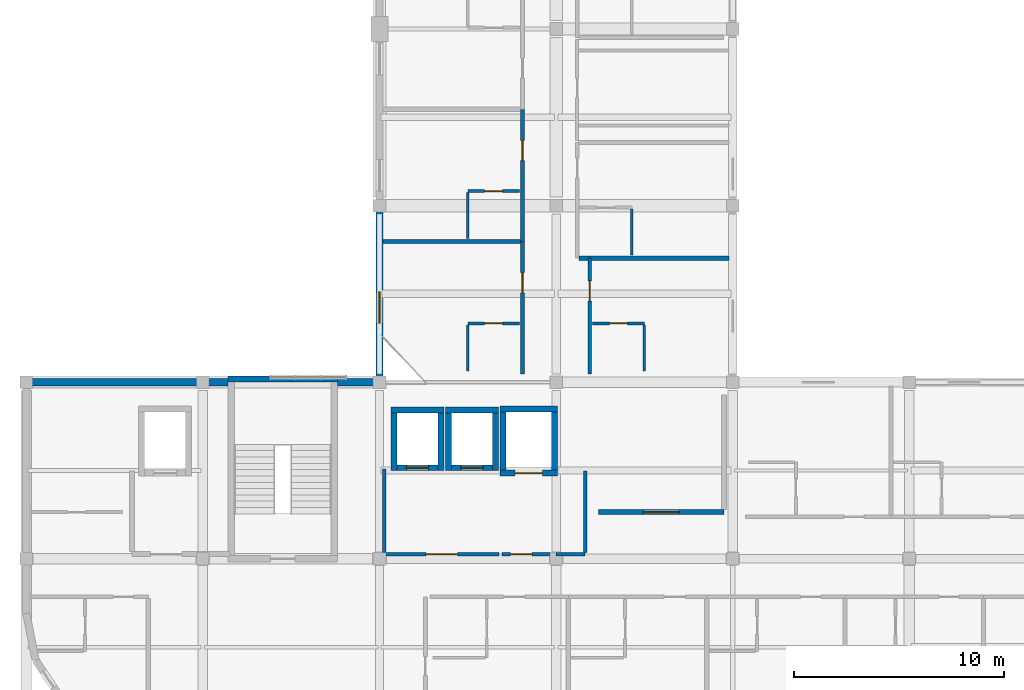
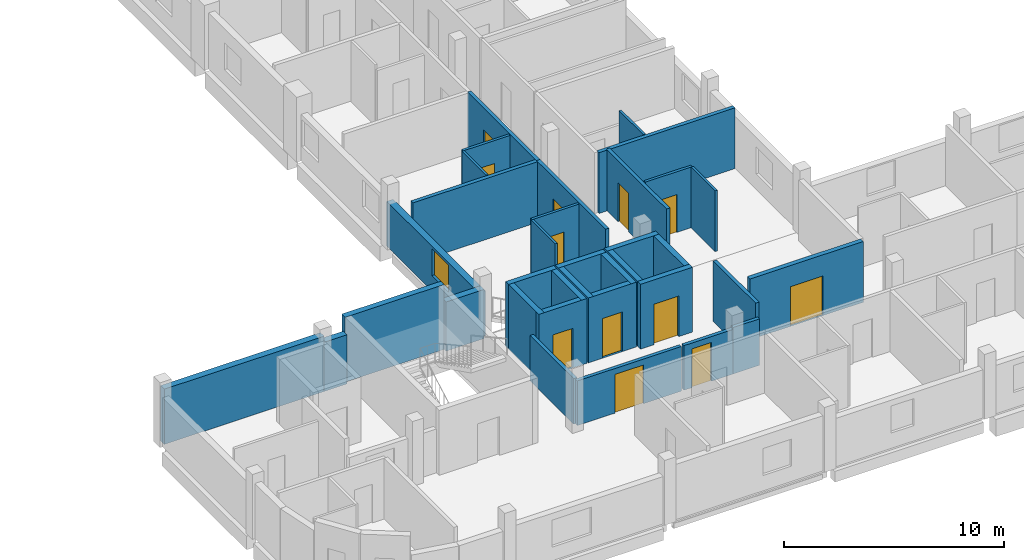
# One storey, part 12 of 25: 35 walls, 12 doors, 1 window, 13 openings.
"""IFC4 building model written with IfcOpenShell, lengths in metres."""

import ifcopenshell
import ifcopenshell.guid

model = None  # the IFC model being written
_history = None  # IfcOwnerHistory: only IFC2X3 demands one
_inside = {}  # id of a spatial element -> (the spatial element, [elements in it])
_under = {}  # id of a project, library or spatial element -> (it, [spatial elements below it])
_declared = {}  # id of a project -> (the project, [libraries it declares])
_typed = {}  # id of a type object -> (the type object, [elements of that type])
_made_of = {}  # id of a material, layer set ... -> (it, [elements and type objects made of it])


def new_model(schema):
    """Start an empty IFC model of exactly this schema.

    Asked for "IFC4X3", IfcOpenShell would pick the latest addendum, in which some entities
    have other attributes; the version numbers below select the first issue.
    IFC2X3 requires an IfcOwnerHistory on every rooted entity: one is made here for all.
    """
    global model, _history
    if schema == "IFC4X3":
        model = ifcopenshell.file(schema_version=(4, 3, 0, 0))
    else:
        model = ifcopenshell.file(schema=schema)
    _inside.clear()
    _under.clear()
    _declared.clear()
    _typed.clear()
    _made_of.clear()
    _history = None
    if model.schema == "IFC2X3":
        org = make("IfcOrganization", Name="unknown")
        user = make(
            "IfcPersonAndOrganization",
            ThePerson=make("IfcPerson", FamilyName="unknown"),
            TheOrganization=org,
        )
        app = make(
            "IfcApplication",
            ApplicationDeveloper=org,
            Version="unknown",
            ApplicationFullName="unknown",
            ApplicationIdentifier="unknown",
        )
        _history = make(
            "IfcOwnerHistory",
            OwningUser=user,
            OwningApplication=app,
            ChangeAction="ADDED",
            CreationDate=0,
        )
    return model


def make(cls, **values):
    """One entity of the class cls with the attributes given. An attribute that is None is left unset."""
    return model.create_entity(
        cls, **{name: value for name, value in values.items() if value is not None}
    )


def rooted(cls, **values):
    """An entity with a GlobalId (a new one), such as an element, a storey or a relation."""
    return make(cls, GlobalId=ifcopenshell.guid.new(), OwnerHistory=_history, **values)


def si_unit(unit_type, name, prefix=None):
    """IfcSIUnit, for example si_unit("LENGTHUNIT", "METRE", prefix="MILLI")."""
    return make("IfcSIUnit", UnitType=unit_type, Prefix=prefix, Name=name)


def derived_unit(unit_type, elements):
    """IfcDerivedUnit: a product of units, each with its exponent."""
    return make(
        "IfcDerivedUnit",
        Elements=[
            make("IfcDerivedUnitElement", Unit=unit, Exponent=power)
            for unit, power in elements
        ],
        UnitType=unit_type,
    )


def assignment(units):
    """IfcUnitAssignment: the units of a project."""
    return None if units is None else make("IfcUnitAssignment", Units=units)


def point(xyz):
    """IfcCartesianPoint."""
    return None if xyz is None else make("IfcCartesianPoint", Coordinates=xyz)


def direction(xyz):
    """IfcDirection."""
    return None if xyz is None else make("IfcDirection", DirectionRatios=xyz)


def frame(location, z_axis=None, x_axis=None):
    """IfcAxis2Placement3D, a coordinate frame: its origin and axes. An axis left out is left unset."""
    return make(
        "IfcAxis2Placement3D",
        Location=point(location),
        Axis=direction(z_axis),
        RefDirection=direction(x_axis),
    )


def frame_2d(location, x_axis=None):
    """IfcAxis2Placement2D, a coordinate frame in the plane: its origin and x axis."""
    return make(
        "IfcAxis2Placement2D", Location=point(location), RefDirection=direction(x_axis)
    )


def origin():
    """The frame at (0, 0, 0) with its axes left unset."""
    return frame((0.0, 0.0, 0.0))


def place(relative_to, where):
    """IfcLocalPlacement: puts the frame where relative to a parent placement (None: the world)."""
    return make(
        "IfcLocalPlacement", PlacementRelTo=relative_to, RelativePlacement=where
    )


def context(
    kind, dimensions, precision=None, world=None, true_north=None, identifier=None
):
    """IfcGeometricRepresentationContext, for example the 3D "Model" context."""
    return make(
        "IfcGeometricRepresentationContext",
        ContextIdentifier=identifier,
        ContextType=kind,
        CoordinateSpaceDimension=dimensions,
        Precision=precision,
        WorldCoordinateSystem=world,
        TrueNorth=true_north,
    )


def subcontext(parent, identifier, kind, view, scale=None):
    """IfcGeometricRepresentationSubContext, for example "Body" below "Model"."""
    return make(
        "IfcGeometricRepresentationSubContext",
        ContextIdentifier=identifier,
        ContextType=kind,
        ParentContext=parent,
        TargetScale=scale,
        TargetView=view,
    )


def project(units=None, contexts=None):
    """IfcProject with its units and contexts."""
    return rooted(
        "IfcProject",
        Name="project",
        RepresentationContexts=contexts,
        UnitsInContext=assignment(units),
    )


def spatial(cls, under=None, at=None, **own):
    """A site, building, storey or space (cls), placed at a placement, below another one or the project."""
    s = rooted(cls, ObjectPlacement=at, **own)
    if under is not None:
        _under.setdefault(under.id(), (under, []))[1].append(s)
    return s


def profile(cls, at=None, kind="AREA", **sizes):
    """A parametric profile (cls). Its sizes go by their IFC names, for example OverallWidth=200.0."""
    return make(cls, ProfileType=kind, Position=at, **sizes)


def rectangle(**sizes):
    """IfcRectangleProfileDef."""
    return profile("IfcRectangleProfileDef", **sizes)


def extrude(swept, where, along, depth):
    """IfcExtrudedAreaSolid: the profile swept, set in the frame where, extruded along a direction by depth."""
    return make(
        "IfcExtrudedAreaSolid",
        SweptArea=swept,
        Position=where,
        ExtrudedDirection=direction(along),
        Depth=depth,
    )


def shape(context_of_items, identifier, shape_type, items):
    """IfcShapeRepresentation: the items that make up one representation, for example the "Body"."""
    return make(
        "IfcShapeRepresentation",
        ContextOfItems=context_of_items,
        RepresentationIdentifier=identifier,
        RepresentationType=shape_type,
        Items=items,
    )


def material(Name=None, Category=None):
    """IfcMaterial."""
    return make("IfcMaterial", Name=Name, Category=Category)


def layer(
    of_material, thickness, ventilated=None, Name=None, Category=None, Priority=None
):
    """IfcMaterialLayer: one layer of a wall or slab, of a material (None: an air gap)."""
    return make(
        "IfcMaterialLayer",
        Material=of_material,
        LayerThickness=thickness,
        IsVentilated=ventilated,
        Name=Name,
        Category=Category,
        Priority=Priority,
    )


def layer_set(layers, Name=None):
    """IfcMaterialLayerSet."""
    return make("IfcMaterialLayerSet", MaterialLayers=layers, LayerSetName=Name)


def made_of(thing, what):
    """Note that an element or type object is made of a material, layer set ...; save() writes the relation."""
    if what is not None:
        _made_of.setdefault(what.id(), (what, []))[1].append(thing)
    return thing


def type_object(cls, material=None, **own):
    """A type object (cls), such as IfcWallType, which elements share."""
    return made_of(rooted(cls, **own), material)


def element(
    cls,
    number,
    at=None,
    inside=None,
    cuts=None,
    type_object=None,
    material=None,
    context=None,
    identifier="Body",
    shape_type=None,
    held_by="IfcProductDefinitionShape",
    body=None,
    shapes=None,
    **own,
):
    """One element of the class cls, such as IfcWall. Its Tag is "e" and its number.

    at: its placement. inside: the storey or other place that contains it. cuts: it is an
    opening in that element (IfcRelVoidsElement). A single representation is given by context,
    identifier, shape_type and body (its items); several are given by shapes. held_by: the class
    of the entity that holds the representations. save() writes the other relations.
    """
    e = rooted(cls, Tag="e%d" % number, ObjectPlacement=at, **own)
    if body is not None:
        shapes = [shape(context, identifier, shape_type, body)]
    if shapes is not None:
        e.Representation = make(held_by, Representations=shapes)
    if inside is not None:
        _inside.setdefault(inside.id(), (inside, []))[1].append(e)
    if cuts is not None:
        rooted(
            "IfcRelVoidsElement", RelatingBuildingElement=cuts, RelatedOpeningElement=e
        )
    if type_object is not None:
        _typed.setdefault(type_object.id(), (type_object, []))[1].append(e)
    return made_of(e, material)


def fill(opening, filler):
    """IfcRelFillsElement: the door or window that sits in an opening."""
    return rooted(
        "IfcRelFillsElement",
        RelatingOpeningElement=opening,
        RelatedBuildingElement=filler,
    )


def aggregate(whole, parts):
    """IfcRelAggregates: a whole, such as a stair, and the parts it consists of."""
    return rooted("IfcRelAggregates", RelatingObject=whole, RelatedObjects=parts)


def save(model, path):
    """Write the relations noted so far, then the file.

    IfcRelAggregates (storeys below a building ...), IfcRelContainedInSpatialStructure (elements
    in a storey), IfcRelDefinesByType, IfcRelAssociatesMaterial and IfcRelDeclares: one each for
    every whole, place, type object, material and project.
    """
    for whole, parts in _under.values():
        aggregate(whole, parts)
    for where, things in _inside.values():
        rooted(
            "IfcRelContainedInSpatialStructure",
            RelatedElements=things,
            RelatingStructure=where,
        )
    for kind, things in _typed.values():
        rooted("IfcRelDefinesByType", RelatedObjects=things, RelatingType=kind)
    for what, things in _made_of.values():
        rooted("IfcRelAssociatesMaterial", RelatedObjects=things, RelatingMaterial=what)
    for by, libraries in _declared.values():
        rooted("IfcRelDeclares", RelatingContext=by, RelatedDefinitions=libraries)
    model.write(path)


model = new_model("IFC4")

# Units and contexts
model_context = context("Model", 3, precision=1e-05, world=origin(), true_north=direction((0.0, 1.0)))
body_context = subcontext(model_context, "Body", "Model", "MODEL_VIEW")
ifc_project = project(units=[si_unit("LENGTHUNIT", "METRE"), si_unit("AREAUNIT", "SQUARE_METRE"), si_unit("VOLUMEUNIT", "CUBIC_METRE"), si_unit("PLANEANGLEUNIT", "RADIAN"), si_unit("MASSUNIT", "GRAM", prefix="KILO"), derived_unit("THERMALTRANSMITTANCEUNIT", [(si_unit("POWERUNIT", "WATT"), 1), (si_unit("LENGTHUNIT", "METRE"), -2), (si_unit("THERMODYNAMICTEMPERATUREUNIT", "KELVIN"), -1)])], contexts=[model_context])

# Site, building, storey
site_placement = place(None, origin())
site = spatial("IfcSite", under=ifc_project, at=site_placement, CompositionType="ELEMENT")
building_placement = place(site_placement, origin())
building = spatial("IfcBuilding", under=site, at=building_placement, Name="Barrovel Congress Hotel", CompositionType="ELEMENT")
storey_placement = place(building_placement, frame((0.0, 0.0, 25.5)))
storey = spatial("IfcBuildingStorey", under=building, at=storey_placement, Name="L06", CompositionType="ELEMENT", Elevation=25.5)

# Walls
ifc_material_1 = material(Name="Fired Clay Brick Masonry", Category="masonry")
ifc_layer_1 = layer(ifc_material_1, 0.340087890625)
ifc_layer_set_1 = layer_set([ifc_layer_1], Name="Fired Clay Brick Masonry")
wall_type_1 = type_object("IfcWallType", Name="EW-BRK340", PredefinedType="STANDARD", material=ifc_layer_set_1)
wall_1_placement = place(storey_placement, frame((33.60009765625, 21.0, 0.0), z_axis=(0.0, 0.0, 1.0), x_axis=(-1.0, 0.0, 0.0)))
element("IfcWall", 1, at=wall_1_placement, inside=storey, type_object=wall_type_1, Name="EW:L06:HS-NW-1", PredefinedType="STANDARD", context=body_context, shape_type="SweptSolid", body=[
    extrude(rectangle(XDim=2.0, YDim=0.340087890625, at=frame_2d((1.0, 0.0))), origin(), (0.0, 0.0, 1.0), 2.72998046875),
])
wall_2_placement = place(storey_placement, frame((25.199951171875, 21.0, 0.0), z_axis=(0.0, 0.0, 1.0), x_axis=(-1.0, 0.0, 0.0)))
element("IfcWall", 2, at=wall_2_placement, inside=storey, type_object=wall_type_1, Name="EW:L06:HS-NW-2", PredefinedType="STANDARD", context=body_context, shape_type="SweptSolid", body=[
    extrude(rectangle(XDim=8.39990234375, YDim=0.340087890625, at=frame_2d((4.199951171875, 0.0))), origin(), (0.0, 0.0, 1.0), 3.070068359375),
])

# Wall, opening, window
wall_3_placement = place(storey_placement, frame((33.60009765625, 29.39990234375, 0.0), z_axis=(0.0, 0.0, 1.0), x_axis=(0.0, -1.0, 0.0)))
wall_3 = element("IfcWall", 3, at=wall_3_placement, inside=storey, type_object=wall_type_1, Name="EW:L06:HW-W:P06", PredefinedType="STANDARD", context=body_context, shape_type="SweptSolid", body=[
    extrude(rectangle(XDim=8.39990234375, YDim=0.340087890625, at=frame_2d((4.199951171875, 0.0))), origin(), (0.0, 0.0, 1.0), 2.47998046875),
])
opening_1_placement = place(wall_3_placement, frame((4.105712890625, 0.0, 0.85009765625)))
opening_1 = element("IfcOpeningElement", 4, at=opening_1_placement, cuts=wall_3, Name="Opening WN-07", PredefinedType="OPENING", context=body_context, shape_type="SweptSolid", body=[
    extrude(rectangle(XDim=1.5, YDim=1.5, at=frame_2d((0.75, 0.75))), frame((0.0, 0.18017578125, 0.0), z_axis=(0.0, -1.0, 0.0), x_axis=(1.0, 0.0, 0.0)), (0.0, 0.0, 1.0), 0.360107421875),
])
ifc_material_2 = material(Name="Double Low-E Insulated Glazing", Category="glass")
window_type = type_object("IfcWindowType", Name="WIN-WN-07", PartitioningType="SINGLE_PANEL", PredefinedType="WINDOW", material=ifc_material_2)
window_placement = place(opening_1_placement, origin())
window = element("IfcWindow", 5, at=window_placement, inside=storey, type_object=window_type, Name="WIN:L06:U28", OverallHeight=1.5, OverallWidth=1.5, PartitioningType="SINGLE_PANEL", PredefinedType="WINDOW", context=body_context, shape_type="SweptSolid", body=[
    extrude(rectangle(XDim=1.5, YDim=1.5, at=frame_2d((0.75, 0.75))), frame((0.0, 0.030029296875, 0.0), z_axis=(0.0, -1.0, 0.0), x_axis=(1.0, 0.0, 0.0)), (0.0, 0.0, 1.0), 0.06005859375),
])
fill(opening_1, window)

# Wall
wall_4_placement = place(storey_placement, frame((26.39990234375, 21.0, 0.0), z_axis=(0.0, 0.0, 1.0), x_axis=(-1.0, 0.0, 0.0)))
element("IfcWall", 6, at=wall_4_placement, inside=storey, type_object=wall_type_1, Name="EW:L06:HS-NW-2:P01", PredefinedType="STANDARD", context=body_context, shape_type="SweptSolid", body=[
    extrude(rectangle(XDim=1.199951171875, YDim=0.340087890625, at=frame_2d((0.60009765625, 0.0))), origin(), (0.0, 0.0, 1.0), 2.72998046875),
])

# Wall, opening, door
ifc_material_3 = material(Name="Gypsum Acoustic Stud", Category="gypsum")
ifc_layer_2 = layer(ifc_material_3, 0.179931640625)
ifc_layer_set_2 = layer_set([ifc_layer_2], Name="Gypsum Acoustic Stud")
wall_type_2 = type_object("IfcWallType", Name="PW-ACU-180", PredefinedType="PARTITIONING", material=ifc_layer_set_2)
wall_5_placement = place(storey_placement, frame((40.39990234375, 21.39990234375, 0.0), z_axis=(0.0, 0.0, 1.0), x_axis=(0.0, 1.0, 0.0)))
wall_5 = element("IfcWall", 7, at=wall_5_placement, inside=storey, type_object=wall_type_2, Name="PW:L06:U28:COR", PredefinedType="PARTITIONING", context=body_context, shape_type="SweptSolid", body=[
    extrude(rectangle(XDim=6.2890625, YDim=0.179931640625, at=frame_2d((3.14453125, 0.0))), origin(), (0.0, 0.0, 1.0), 3.375),
])
opening_2_placement = place(wall_5_placement, frame((3.849365234375, 0.0, 0.0)))
opening_2 = element("IfcOpeningElement", 8, at=opening_2_placement, cuts=wall_5, Name="Opening ID-HTL", PredefinedType="OPENING", context=body_context, shape_type="SweptSolid", body=[
    extrude(rectangle(XDim=0.9599609375, YDim=2.14990234375, at=frame_2d((0.47998046875, 1.074951171875))), frame((0.0, 0.10009765625, 0.0), z_axis=(0.0, -1.0, 0.0), x_axis=(1.0, 0.0, 0.0)), (0.0, 0.0, 1.0), 0.199951171875),
])
ifc_material_4 = material(Name="Solid Oak Acoustic Timber Door", Category="wood")
door_type_1 = type_object("IfcDoorType", Name="IDR-ID-HTL", OperationType="NOTDEFINED", PredefinedType="DOOR", material=ifc_material_4)
door_1_placement = place(opening_2_placement, origin())
door_1 = element("IfcDoor", 9, at=door_1_placement, inside=storey, type_object=door_type_1, Name="DR:L06:U28:ENT", OperationType="SINGLE_SWING_RIGHT", OverallHeight=2.14990234375, OverallWidth=0.9599609375, PredefinedType="DOOR", context=body_context, shape_type="SweptSolid", body=[
    extrude(rectangle(XDim=0.9599609375, YDim=2.14990234375, at=frame_2d((0.47998046875, 1.074951171875))), frame((0.0, 0.02490234375, 0.0), z_axis=(0.0, -1.0, 0.0), x_axis=(1.0, 0.0, 0.0)), (0.0, 0.0, 1.0), 0.050048828125),
])
fill(opening_2, door_1)

wall_6_placement = place(storey_placement, frame((40.39990234375, 27.68896484375, 0.0), z_axis=(0.0, 0.0, 1.0), x_axis=(0.0, 1.0, 0.0)))
wall_6 = element("IfcWall", 10, at=wall_6_placement, inside=storey, type_object=wall_type_2, Name="PW:L06:U29:COR", PredefinedType="PARTITIONING", context=body_context, shape_type="SweptSolid", body=[
    extrude(rectangle(XDim=6.288818359375, YDim=0.179931640625, at=frame_2d((3.14453125, 0.0))), origin(), (0.0, 0.0, 1.0), 3.375),
])
opening_3_placement = place(wall_6_placement, frame((3.849365234375, 0.0, 0.0)))
opening_3 = element("IfcOpeningElement", 11, at=opening_3_placement, cuts=wall_6, Name="Opening ID-HTL", PredefinedType="OPENING", context=body_context, shape_type="SweptSolid", body=[
    extrude(rectangle(XDim=0.9599609375, YDim=2.14990234375, at=frame_2d((0.47998046875, 1.074951171875))), frame((0.0, 0.10009765625, 0.0), z_axis=(0.0, -1.0, 0.0), x_axis=(1.0, 0.0, 0.0)), (0.0, 0.0, 1.0), 0.199951171875),
])
door_2_placement = place(opening_3_placement, origin())
door_2 = element("IfcDoor", 12, at=door_2_placement, inside=storey, type_object=door_type_1, Name="DR:L06:U29:ENT", OperationType="SINGLE_SWING_RIGHT", OverallHeight=2.14990234375, OverallWidth=0.9599609375, PredefinedType="DOOR", context=body_context, shape_type="SweptSolid", body=[
    extrude(rectangle(XDim=0.9599609375, YDim=2.14990234375, at=frame_2d((0.47998046875, 1.074951171875))), frame((0.0, 0.02490234375, 0.0), z_axis=(0.0, -1.0, 0.0), x_axis=(1.0, 0.0, 0.0)), (0.0, 0.0, 1.0), 0.050048828125),
])
fill(opening_3, door_2)

wall_7_placement = place(storey_placement, frame((43.60009765625, 21.39990234375, 0.0), z_axis=(0.0, 0.0, 1.0), x_axis=(0.0, 1.0, 0.0)))
wall_7 = element("IfcWall", 13, at=wall_7_placement, inside=storey, type_object=wall_type_2, Name="PW:L06:U37:COR", PredefinedType="PARTITIONING", context=body_context, shape_type="SweptSolid", body=[
    extrude(rectangle(XDim=5.5, YDim=0.179931640625, at=frame_2d((2.75, 0.0))), origin(), (0.0, 0.0, 1.0), 3.375),
])
opening_4_placement = place(wall_7_placement, frame((3.455078125, 0.0, 0.0)))
opening_4 = element("IfcOpeningElement", 14, at=opening_4_placement, cuts=wall_7, Name="Opening ID-HTL", PredefinedType="OPENING", context=body_context, shape_type="SweptSolid", body=[
    extrude(rectangle(XDim=0.9599609375, YDim=2.14990234375, at=frame_2d((0.47998046875, 1.074951171875))), frame((0.0, 0.10009765625, 0.0), z_axis=(0.0, -1.0, 0.0), x_axis=(1.0, 0.0, 0.0)), (0.0, 0.0, 1.0), 0.199951171875),
])
door_3_placement = place(opening_4_placement, origin())
door_3 = element("IfcDoor", 15, at=door_3_placement, inside=storey, type_object=door_type_1, Name="DR:L06:U37:ENT", OperationType="SINGLE_SWING_RIGHT", OverallHeight=2.14990234375, OverallWidth=0.9599609375, PredefinedType="DOOR", context=body_context, shape_type="SweptSolid", body=[
    extrude(rectangle(XDim=0.9599609375, YDim=2.14990234375, at=frame_2d((0.47998046875, 1.074951171875))), frame((0.0, 0.02490234375, 0.0), z_axis=(0.0, -1.0, 0.0), x_axis=(1.0, 0.0, 0.0)), (0.0, 0.0, 1.0), 0.050048828125),
])
fill(opening_4, door_3)

wall_8_placement = place(storey_placement, frame((33.820068359375, 12.820068359375, 0.0), z_axis=(0.0, 0.0, 1.0), x_axis=(1.0, 0.0, 0.0)))
wall_8 = element("IfcWall", 16, at=wall_8_placement, inside=storey, type_object=wall_type_2, Name="RW:SP:L06:LL-C1:S", PredefinedType="PARTITIONING", context=body_context, shape_type="SweptSolid", body=[
    extrude(rectangle(XDim=5.4599609375, YDim=0.179931640625, at=frame_2d((2.72998046875, 0.0))), origin(), (0.0, 0.0, 1.0), 2.47998046875),
])
opening_5_placement = place(wall_8_placement, frame((1.97998046875, 0.0, 0.0)))
opening_5 = element("IfcOpeningElement", 17, at=opening_5_placement, cuts=wall_8, Name="Opening ID-FFL", PredefinedType="OPENING", context=body_context, shape_type="SweptSolid", body=[
    extrude(rectangle(XDim=1.5, YDim=2.14990234375, at=frame_2d((0.75, 1.074951171875))), frame((0.0, 0.10009765625, 0.0), z_axis=(0.0, -1.0, 0.0), x_axis=(1.0, 0.0, 0.0)), (0.0, 0.0, 1.0), 0.199951171875),
])
ifc_material_5 = material(Name="Painted Hollow-Metal Steel Door", Category="steel")
door_type_2 = type_object("IfcDoorType", Name="IDR-ID-FFL", OperationType="NOTDEFINED", PredefinedType="DOOR", material=ifc_material_5)
door_4_placement = place(opening_5_placement, origin())
door_4 = element("IfcDoor", 18, at=door_4_placement, inside=storey, type_object=door_type_2, Name="RD:SP:L06:LL-C1", OperationType="DOUBLE_DOOR_SINGLE_SWING", OverallHeight=2.14990234375, OverallWidth=1.5, PredefinedType="DOOR", context=body_context, shape_type="SweptSolid", body=[
    extrude(rectangle(XDim=1.5, YDim=2.14990234375, at=frame_2d((0.75, 1.074951171875))), frame((0.0, 0.02490234375, 0.0), z_axis=(0.0, -1.0, 0.0), x_axis=(1.0, 0.0, 0.0)), (0.0, 0.0, 1.0), 0.050048828125),
])
fill(opening_5, door_4)

# Wall
wall_9_placement = place(storey_placement, frame((33.820068359375, 12.909912109375, 0.0), z_axis=(0.0, 0.0, 1.0), x_axis=(0.0, 1.0, 0.0)))
element("IfcWall", 19, at=wall_9_placement, inside=storey, type_object=wall_type_2, Name="RW:SP:L06:LL-C1:W", PredefinedType="PARTITIONING", context=body_context, shape_type="SweptSolid", body=[
    extrude(rectangle(XDim=3.969970703125, YDim=0.179931640625, at=frame_2d((1.98486328125, 0.0))), origin(), (0.0, 0.0, 1.0), 2.530029296875),
])

# Wall, opening, door
wall_10_placement = place(storey_placement, frame((39.419921875, 12.820068359375, 0.0), z_axis=(0.0, 0.0, 1.0), x_axis=(1.0, 0.0, 0.0)))
wall_10 = element("IfcWall", 20, at=wall_10_placement, inside=storey, type_object=wall_type_2, Name="RW:SP:L06:LL-SL1:S", PredefinedType="PARTITIONING", context=body_context, shape_type="SweptSolid", body=[
    extrude(rectangle(XDim=2.580078125, YDim=0.179931640625, at=frame_2d((1.2900390625, 0.0))), origin(), (0.0, 0.0, 1.0), 2.47998046875),
])
opening_6_placement = place(wall_10_placement, frame((0.419921875, 0.0, 0.0)))
opening_6 = element("IfcOpeningElement", 21, at=opening_6_placement, cuts=wall_10, Name="Opening ID-ACC", PredefinedType="OPENING", context=body_context, shape_type="SweptSolid", body=[
    extrude(rectangle(XDim=1.02001953125, YDim=2.14990234375, at=frame_2d((0.510009765625, 1.074951171875))), frame((0.0, 0.10009765625, 0.0), z_axis=(0.0, -1.0, 0.0), x_axis=(1.0, 0.0, 0.0)), (0.0, 0.0, 1.0), 0.199951171875),
])
door_type_3 = type_object("IfcDoorType", Name="IDR-ID-ACC", OperationType="NOTDEFINED", PredefinedType="DOOR", material=ifc_material_4)
door_5_placement = place(opening_6_placement, origin())
door_5 = element("IfcDoor", 22, at=door_5_placement, inside=storey, type_object=door_type_3, Name="RD:SP:L06:LL-SL1", OperationType="SINGLE_SWING_LEFT", OverallHeight=2.14990234375, OverallWidth=1.02001953125, PredefinedType="DOOR", context=body_context, shape_type="SweptSolid", body=[
    extrude(rectangle(XDim=1.02001953125, YDim=2.14990234375, at=frame_2d((0.510009765625, 1.074951171875))), frame((0.0, 0.02490234375, 0.0), z_axis=(0.0, -1.0, 0.0), x_axis=(1.0, 0.0, 0.0)), (0.0, 0.0, 1.0), 0.050048828125),
])
fill(opening_6, door_5)

# Walls
wall_11_placement = place(storey_placement, frame((43.3798828125, 12.909912109375, 0.0), z_axis=(0.0, 0.0, 1.0), x_axis=(0.0, 1.0, 0.0)))
element("IfcWall", 23, at=wall_11_placement, inside=storey, type_object=wall_type_2, Name="RW:SP:L06:LL-SL1:E", PredefinedType="PARTITIONING", context=body_context, shape_type="SweptSolid", body=[
    extrude(rectangle(XDim=3.8701171875, YDim=0.179931640625, at=frame_2d((1.93505859375, 0.0))), origin(), (0.0, 0.0, 1.0), 3.375),
])
wall_12_placement = place(storey_placement, frame((42.0, 12.820068359375, 0.0), z_axis=(0.0, 0.0, 1.0), x_axis=(1.0, 0.0, 0.0)))
element("IfcWall", 24, at=wall_12_placement, inside=storey, type_object=wall_type_2, Name="RW:SP:L06:LL-SL1:S:P02", PredefinedType="PARTITIONING", context=body_context, shape_type="SweptSolid", body=[
    extrude(rectangle(XDim=1.3798828125, YDim=0.179931640625, at=frame_2d((0.68994140625, 0.0))), origin(), (0.0, 0.0, 1.0), 2.580078125),
])
ifc_layer_3 = layer(ifc_material_3, 0.1201171875)
ifc_layer_set_3 = layer_set([ifc_layer_3], Name="Gypsum Acoustic Stud")
wall_type_3 = type_object("IfcWallType", Name="PW-INT-120", PredefinedType="PARTITIONING", material=ifc_layer_set_3)
for number, where, z_axis, x_axis, name in (
    (25, (37.800048828125, 21.5400390625, 0.0), (0.0, 0.0, 1.0), (0.0, 1.0, 0.0), "PW:L06:U28:B2"),
    (26, (37.800048828125, 27.828857421875, 0.0), (0.0, 0.0, 1.0), (0.0, 1.0, 0.0), "PW:L06:U29:B2"),
    (27, (46.199951171875, 21.5400390625, 0.0), (0.0, 0.0, 1.0), (0.0, 1.0, 0.0), "PW:L06:U37:B2"),
    (28, (45.60009765625, 27.0400390625, 0.0), (0.0, 0.0, 1.0), (0.0, 1.0, 0.0), "PW:L06:U38:B2"),
):
    element("IfcWall", number, at=place(storey_placement, frame(where, z_axis=z_axis, x_axis=x_axis)), inside=storey, type_object=wall_type_3, Name=name, PredefinedType="PARTITIONING", context=body_context, shape_type="SweptSolid", body=[
        extrude(rectangle(XDim=2.18994140625, YDim=0.1201171875, at=frame_2d((1.094970703125, 0.0))), origin(), (0.0, 0.0, 1.0), 3.375),
    ])
ifc_layer_4 = layer(ifc_material_1, 0.199951171875)
ifc_layer_set_4 = layer_set([ifc_layer_4], Name="Fired Clay Brick Masonry")
wall_type_4 = type_object("IfcWallType", Name="PW-MAS-200", PredefinedType="PARTITIONING", material=ifc_layer_set_4)
wall_13_placement = place(storey_placement, frame((33.77001953125, 27.68896484375, 0.0), z_axis=(0.0, 0.0, 1.0), x_axis=(1.0, 0.0, 0.0)))
element("IfcWall", 29, at=wall_13_placement, inside=storey, type_object=wall_type_4, Name="PW:L06:U28:DEM", PredefinedType="PARTITIONING", context=body_context, shape_type="SweptSolid", body=[
    extrude(rectangle(XDim=6.5400390625, YDim=0.199951171875, at=frame_2d((3.27001953125, 0.0))), origin(), (0.0, 0.0, 1.0), 3.375),
])
wall_14_placement = place(storey_placement, frame((43.090087890625, 26.89990234375, 0.0), z_axis=(0.0, 0.0, 1.0), x_axis=(1.0, 0.0, 0.0)))
element("IfcWall", 30, at=wall_14_placement, inside=storey, type_object=wall_type_4, Name="PW:L06:U37:DEM", PredefinedType="PARTITIONING", context=body_context, shape_type="SweptSolid", body=[
    extrude(rectangle(XDim=7.139892578125, YDim=0.199951171875, at=frame_2d((3.56982421875, 0.0))), origin(), (0.0, 0.0, 1.0), 3.375),
])

# Wall, opening, door
ifc_layer_5 = layer(ifc_material_1, 0.239990234375)
ifc_layer_set_5 = layer_set([ifc_layer_5], Name="Fired Clay Brick Masonry")
wall_type_5 = type_object("IfcWallType", Name="PW-MAS-240", PredefinedType="PARTITIONING", material=ifc_layer_set_5)
wall_15_placement = place(storey_placement, frame((44.02001953125, 14.820068359375, 0.0), z_axis=(0.0, 0.0, 1.0), x_axis=(1.0, 0.0, 0.0)))
wall_15 = element("IfcWall", 31, at=wall_15_placement, inside=storey, type_object=wall_type_5, Name="RW:SP:L06:LINEN:S", PredefinedType="PARTITIONING", context=body_context, shape_type="SweptSolid", body=[
    extrude(rectangle(XDim=5.9599609375, YDim=0.239990234375, at=frame_2d((2.97998046875, 0.0))), origin(), (0.0, 0.0, 1.0), 3.375),
])
opening_7_placement = place(wall_15_placement, frame((2.1298828125, 0.0, 0.0)))
opening_7 = element("IfcOpeningElement", 32, at=opening_7_placement, cuts=wall_15, Name="Opening ID-KIT", PredefinedType="OPENING", context=body_context, shape_type="SweptSolid", body=[
    extrude(rectangle(XDim=1.699951171875, YDim=2.199951171875, at=frame_2d((0.85009765625, 1.10009765625))), frame((0.0, 0.1298828125, 0.0), z_axis=(0.0, -1.0, 0.0), x_axis=(1.0, 0.0, 0.0)), (0.0, 0.0, 1.0), 0.260009765625),
])
ifc_material_6 = material(Name="Brushed Stainless Steel", Category="steel")
door_type_4 = type_object("IfcDoorType", Name="IDR-ID-KIT", OperationType="NOTDEFINED", PredefinedType="DOOR", material=ifc_material_6)
door_6_placement = place(opening_7_placement, origin())
door_6 = element("IfcDoor", 33, at=door_6_placement, inside=storey, type_object=door_type_4, Name="RD:SP:L06:LINEN", OperationType="DOUBLE_DOOR_SINGLE_SWING", OverallHeight=2.199951171875, OverallWidth=1.699951171875, PredefinedType="DOOR", context=body_context, shape_type="SweptSolid", body=[
    extrude(rectangle(XDim=1.699951171875, YDim=2.199951171875, at=frame_2d((0.85009765625, 1.10009765625))), frame((0.0, 0.02490234375, 0.0), z_axis=(0.0, -1.0, 0.0), x_axis=(1.0, 0.0, 0.0)), (0.0, 0.0, 1.0), 0.050048828125),
])
fill(opening_7, door_6)

ifc_material_7 = material(Name="Gypsum Moisture Board", Category="gypsum")
ifc_layer_6 = layer(ifc_material_7, 0.139892578125)
ifc_layer_set_6 = layer_set([ifc_layer_6], Name="Gypsum Moisture Board")
wall_type_6 = type_object("IfcWallType", Name="PW-WET-140", PredefinedType="PARTITIONING", material=ifc_layer_set_6)
wall_16_placement = place(storey_placement, frame((37.800048828125, 23.800048828125, 0.0), z_axis=(0.0, 0.0, 1.0), x_axis=(1.0, 0.0, 0.0)))
wall_16 = element("IfcWall", 34, at=wall_16_placement, inside=storey, type_object=wall_type_6, Name="PW:L06:U28:B1", PredefinedType="PARTITIONING", context=body_context, shape_type="SweptSolid", body=[
    extrude(rectangle(XDim=2.4599609375, YDim=0.139892578125, at=frame_2d((1.22998046875, 0.0))), origin(), (0.0, 0.0, 1.0), 3.375),
])
opening_8_placement = place(wall_16_placement, frame((0.800048828125, 0.0, 0.0)))
opening_8 = element("IfcOpeningElement", 35, at=opening_8_placement, cuts=wall_16, Name="Opening ID-ENS", PredefinedType="OPENING", context=body_context, shape_type="SweptSolid", body=[
    extrude(rectangle(XDim=0.860107421875, YDim=2.10009765625, at=frame_2d((0.43017578125, 1.050048828125))), frame((0.0, 0.080078125, 0.0), z_axis=(0.0, -1.0, 0.0), x_axis=(1.0, 0.0, 0.0)), (0.0, 0.0, 1.0), 0.159912109375),
])
ifc_material_8 = material(Name="Lacquered Timber Moisture Door", Category="wood")
door_type_5 = type_object("IfcDoorType", Name="IDR-ID-ENS", OperationType="NOTDEFINED", PredefinedType="DOOR", material=ifc_material_8)
door_7_placement = place(opening_8_placement, origin())
door_7 = element("IfcDoor", 36, at=door_7_placement, inside=storey, type_object=door_type_5, Name="DR:L06:U28:ENS", OperationType="SINGLE_SWING_LEFT", OverallHeight=2.10009765625, OverallWidth=0.860107421875, PredefinedType="DOOR", context=body_context, shape_type="SweptSolid", body=[
    extrude(rectangle(XDim=0.860107421875, YDim=2.10009765625, at=frame_2d((0.43017578125, 1.050048828125))), frame((0.0, 0.02490234375, 0.0), z_axis=(0.0, -1.0, 0.0), x_axis=(1.0, 0.0, 0.0)), (0.0, 0.0, 1.0), 0.050048828125),
])
fill(opening_8, door_7)

wall_17_placement = place(storey_placement, frame((37.800048828125, 30.0888671875, 0.0), z_axis=(0.0, 0.0, 1.0), x_axis=(1.0, 0.0, 0.0)))
wall_17 = element("IfcWall", 37, at=wall_17_placement, inside=storey, type_object=wall_type_6, Name="PW:L06:U29:B1", PredefinedType="PARTITIONING", context=body_context, shape_type="SweptSolid", body=[
    extrude(rectangle(XDim=2.4599609375, YDim=0.139892578125, at=frame_2d((1.22998046875, 0.0))), origin(), (0.0, 0.0, 1.0), 3.375),
])
opening_9_placement = place(wall_17_placement, frame((0.800048828125, 0.0, 0.0)))
opening_9 = element("IfcOpeningElement", 38, at=opening_9_placement, cuts=wall_17, Name="Opening ID-ENS", PredefinedType="OPENING", context=body_context, shape_type="SweptSolid", body=[
    extrude(rectangle(XDim=0.860107421875, YDim=2.10009765625, at=frame_2d((0.43017578125, 1.050048828125))), frame((0.0, 0.080078125, 0.0), z_axis=(0.0, -1.0, 0.0), x_axis=(1.0, 0.0, 0.0)), (0.0, 0.0, 1.0), 0.159912109375),
])
door_8_placement = place(opening_9_placement, origin())
door_8 = element("IfcDoor", 39, at=door_8_placement, inside=storey, type_object=door_type_5, Name="DR:L06:U29:ENS", OperationType="SINGLE_SWING_LEFT", OverallHeight=2.10009765625, OverallWidth=0.860107421875, PredefinedType="DOOR", context=body_context, shape_type="SweptSolid", body=[
    extrude(rectangle(XDim=0.860107421875, YDim=2.10009765625, at=frame_2d((0.43017578125, 1.050048828125))), frame((0.0, 0.02490234375, 0.0), z_axis=(0.0, -1.0, 0.0), x_axis=(1.0, 0.0, 0.0)), (0.0, 0.0, 1.0), 0.050048828125),
])
fill(opening_9, door_8)

wall_18_placement = place(storey_placement, frame((43.739990234375, 23.800048828125, 0.0), z_axis=(0.0, 0.0, 1.0), x_axis=(1.0, 0.0, 0.0)))
wall_18 = element("IfcWall", 40, at=wall_18_placement, inside=storey, type_object=wall_type_6, Name="PW:L06:U37:B1", PredefinedType="PARTITIONING", context=body_context, shape_type="SweptSolid", body=[
    extrude(rectangle(XDim=2.4599609375, YDim=0.139892578125, at=frame_2d((1.22998046875, 0.0))), origin(), (0.0, 0.0, 1.0), 3.375),
])
opening_10_placement = place(wall_18_placement, frame((0.800048828125, 0.0, 0.0)))
opening_10 = element("IfcOpeningElement", 41, at=opening_10_placement, cuts=wall_18, Name="Opening ID-ENS", PredefinedType="OPENING", context=body_context, shape_type="SweptSolid", body=[
    extrude(rectangle(XDim=0.860107421875, YDim=2.10009765625, at=frame_2d((0.43017578125, 1.050048828125))), frame((0.0, 0.080078125, 0.0), z_axis=(0.0, -1.0, 0.0), x_axis=(1.0, 0.0, 0.0)), (0.0, 0.0, 1.0), 0.159912109375),
])
door_9_placement = place(opening_10_placement, origin())
door_9 = element("IfcDoor", 42, at=door_9_placement, inside=storey, type_object=door_type_5, Name="DR:L06:U37:ENS", OperationType="SINGLE_SWING_LEFT", OverallHeight=2.10009765625, OverallWidth=0.860107421875, PredefinedType="DOOR", context=body_context, shape_type="SweptSolid", body=[
    extrude(rectangle(XDim=0.860107421875, YDim=2.10009765625, at=frame_2d((0.43017578125, 1.050048828125))), frame((0.0, 0.02490234375, 0.0), z_axis=(0.0, -1.0, 0.0), x_axis=(1.0, 0.0, 0.0)), (0.0, 0.0, 1.0), 0.050048828125),
])
fill(opening_10, door_9)

ifc_material_9 = material(Name="Concrete C40", Category="concrete")
ifc_layer_7 = layer(ifc_material_9, 0.280029296875)
ifc_layer_set_7 = layer_set([ifc_layer_7], Name="Concrete C40")
wall_type_7 = type_object("IfcWallType", Name="SW-C40-280", PredefinedType="SHEAR", material=ifc_layer_set_7)
wall_19_placement = place(storey_placement, frame((34.139892578125, 16.929931640625, 0.0), z_axis=(0.0, 0.0, 1.0), x_axis=(1.0, 0.0, 0.0)))
wall_19 = element("IfcWall", 43, at=wall_19_placement, inside=storey, type_object=wall_type_7, Name="LSH:PL-1:L06:S", PredefinedType="SHEAR", context=body_context, shape_type="SweptSolid", body=[
    extrude(rectangle(XDim=2.52001953125, YDim=0.280029296875, at=frame_2d((1.260009765625, 0.0))), origin(), (0.0, 0.0, 1.0), 3.60009765625),
])
opening_11_placement = place(wall_19_placement, frame((0.735107421875, 0.0, 0.0)))
opening_11 = element("IfcOpeningElement", 44, at=opening_11_placement, cuts=wall_19, Name="Opening LD-PAX", PredefinedType="OPENING", context=body_context, shape_type="SweptSolid", body=[
    extrude(rectangle(XDim=1.050048828125, YDim=2.199951171875, at=frame_2d((0.52490234375, 1.10009765625))), frame((0.0, 0.14990234375, 0.0), z_axis=(0.0, -1.0, 0.0), x_axis=(1.0, 0.0, 0.0)), (0.0, 0.0, 1.0), 0.300048828125),
])
door_type_6 = type_object("IfcDoorType", Name="IDR-LD-PAX", OperationType="NOTDEFINED", PredefinedType="DOOR", material=ifc_material_6)
door_10_placement = place(opening_11_placement, origin())
door_10 = element("IfcDoor", 45, at=door_10_placement, inside=storey, type_object=door_type_6, Name="Lift Landing Door LD-PL-1-L06", OperationType="SLIDING_TO_LEFT", OverallHeight=2.199951171875, OverallWidth=1.050048828125, PredefinedType="DOOR", context=body_context, shape_type="SweptSolid", body=[
    extrude(rectangle(XDim=1.050048828125, YDim=2.199951171875, at=frame_2d((0.52490234375, 1.10009765625))), frame((0.0, 0.02490234375, 0.0), z_axis=(0.0, -1.0, 0.0), x_axis=(1.0, 0.0, 0.0)), (0.0, 0.0, 1.0), 0.050048828125),
])
fill(opening_11, door_10)

# Walls
wall_20_placement = place(storey_placement, frame((36.52001953125, 16.7900390625, 0.0), z_axis=(0.0, 0.0, 1.0), x_axis=(0.0, 1.0, 0.0)))
element("IfcWall", 46, at=wall_20_placement, inside=storey, type_object=wall_type_7, Name="LSH:PL-1:L06:E", PredefinedType="SHEAR", context=body_context, shape_type="SweptSolid", body=[
    extrude(rectangle(XDim=3.02001953125, YDim=0.280029296875, at=frame_2d((1.510009765625, 0.0))), origin(), (0.0, 0.0, 1.0), 3.60009765625),
])
wall_21_placement = place(storey_placement, frame((36.659912109375, 19.669921875, 0.0), z_axis=(0.0, 0.0, 1.0), x_axis=(-1.0, 0.0, 0.0)))
element("IfcWall", 47, at=wall_21_placement, inside=storey, type_object=wall_type_7, Name="LSH:PL-1:L06:N", PredefinedType="SHEAR", context=body_context, shape_type="SweptSolid", body=[
    extrude(rectangle(XDim=2.52001953125, YDim=0.280029296875, at=frame_2d((1.260009765625, 0.0))), origin(), (0.0, 0.0, 1.0), 3.60009765625),
])
wall_22_placement = place(storey_placement, frame((34.280029296875, 19.81005859375, 0.0), z_axis=(0.0, 0.0, 1.0), x_axis=(0.0, -1.0, 0.0)))
element("IfcWall", 48, at=wall_22_placement, inside=storey, type_object=wall_type_7, Name="LSH:PL-1:L06:W", PredefinedType="SHEAR", context=body_context, shape_type="SweptSolid", body=[
    extrude(rectangle(XDim=3.02001953125, YDim=0.280029296875, at=frame_2d((1.510009765625, 0.0))), origin(), (0.0, 0.0, 1.0), 3.60009765625),
])

# Wall, opening, door
wall_23_placement = place(storey_placement, frame((36.739990234375, 16.929931640625, 0.0), z_axis=(0.0, 0.0, 1.0), x_axis=(1.0, 0.0, 0.0)))
wall_23 = element("IfcWall", 49, at=wall_23_placement, inside=storey, type_object=wall_type_7, Name="LSH:PL-2:L06:S", PredefinedType="SHEAR", context=body_context, shape_type="SweptSolid", body=[
    extrude(rectangle(XDim=2.52001953125, YDim=0.280029296875, at=frame_2d((1.260009765625, 0.0))), origin(), (0.0, 0.0, 1.0), 3.60009765625),
])
opening_12_placement = place(wall_23_placement, frame((0.735107421875, 0.0, 0.0)))
opening_12 = element("IfcOpeningElement", 50, at=opening_12_placement, cuts=wall_23, Name="Opening LD-PAX", PredefinedType="OPENING", context=body_context, shape_type="SweptSolid", body=[
    extrude(rectangle(XDim=1.050048828125, YDim=2.199951171875, at=frame_2d((0.52490234375, 1.10009765625))), frame((0.0, 0.14990234375, 0.0), z_axis=(0.0, -1.0, 0.0), x_axis=(1.0, 0.0, 0.0)), (0.0, 0.0, 1.0), 0.300048828125),
])
door_11_placement = place(opening_12_placement, origin())
door_11 = element("IfcDoor", 51, at=door_11_placement, inside=storey, type_object=door_type_6, Name="Lift Landing Door LD-PL-2-L06", OperationType="SLIDING_TO_LEFT", OverallHeight=2.199951171875, OverallWidth=1.050048828125, PredefinedType="DOOR", context=body_context, shape_type="SweptSolid", body=[
    extrude(rectangle(XDim=1.050048828125, YDim=2.199951171875, at=frame_2d((0.52490234375, 1.10009765625))), frame((0.0, 0.02490234375, 0.0), z_axis=(0.0, -1.0, 0.0), x_axis=(1.0, 0.0, 0.0)), (0.0, 0.0, 1.0), 0.050048828125),
])
fill(opening_12, door_11)

# Walls
wall_24_placement = place(storey_placement, frame((39.1201171875, 16.7900390625, 0.0), z_axis=(0.0, 0.0, 1.0), x_axis=(0.0, 1.0, 0.0)))
element("IfcWall", 52, at=wall_24_placement, inside=storey, type_object=wall_type_7, Name="LSH:PL-2:L06:E", PredefinedType="SHEAR", context=body_context, shape_type="SweptSolid", body=[
    extrude(rectangle(XDim=3.02001953125, YDim=0.280029296875, at=frame_2d((1.510009765625, 0.0))), origin(), (0.0, 0.0, 1.0), 3.60009765625),
])
wall_25_placement = place(storey_placement, frame((39.260009765625, 19.669921875, 0.0), z_axis=(0.0, 0.0, 1.0), x_axis=(-1.0, 0.0, 0.0)))
element("IfcWall", 53, at=wall_25_placement, inside=storey, type_object=wall_type_7, Name="LSH:PL-2:L06:N", PredefinedType="SHEAR", context=body_context, shape_type="SweptSolid", body=[
    extrude(rectangle(XDim=2.52001953125, YDim=0.280029296875, at=frame_2d((1.260009765625, 0.0))), origin(), (0.0, 0.0, 1.0), 3.60009765625),
])
wall_26_placement = place(storey_placement, frame((36.8798828125, 19.81005859375, 0.0), z_axis=(0.0, 0.0, 1.0), x_axis=(0.0, -1.0, 0.0)))
element("IfcWall", 54, at=wall_26_placement, inside=storey, type_object=wall_type_7, Name="LSH:PL-2:L06:W", PredefinedType="SHEAR", context=body_context, shape_type="SweptSolid", body=[
    extrude(rectangle(XDim=3.02001953125, YDim=0.280029296875, at=frame_2d((1.510009765625, 0.0))), origin(), (0.0, 0.0, 1.0), 3.60009765625),
])

# Wall, opening, door
wall_27_placement = place(storey_placement, frame((39.340087890625, 16.679931640625, 0.0), z_axis=(0.0, 0.0, 1.0), x_axis=(1.0, 0.0, 0.0)))
wall_27 = element("IfcWall", 55, at=wall_27_placement, inside=storey, type_object=wall_type_7, Name="LSH:SL-1:L06:S", PredefinedType="SHEAR", context=body_context, shape_type="SweptSolid", body=[
    extrude(rectangle(XDim=2.719970703125, YDim=0.280029296875, at=frame_2d((1.35986328125, 0.0))), origin(), (0.0, 0.0, 1.0), 3.60009765625),
])
opening_13_placement = place(wall_27_placement, frame((0.7099609375, 0.0, 0.0)))
opening_13 = element("IfcOpeningElement", 56, at=opening_13_placement, cuts=wall_27, Name="Opening LD-SRV", PredefinedType="OPENING", context=body_context, shape_type="SweptSolid", body=[
    extrude(rectangle(XDim=1.300048828125, YDim=2.25, at=frame_2d((0.64990234375, 1.125))), frame((0.0, 0.14990234375, 0.0), z_axis=(0.0, -1.0, 0.0), x_axis=(1.0, 0.0, 0.0)), (0.0, 0.0, 1.0), 0.300048828125),
])
door_type_7 = type_object("IfcDoorType", Name="IDR-LD-SRV", OperationType="NOTDEFINED", PredefinedType="DOOR", material=ifc_material_6)
door_12_placement = place(opening_13_placement, origin())
door_12 = element("IfcDoor", 57, at=door_12_placement, inside=storey, type_object=door_type_7, Name="Lift Landing Door LD-SL-1-L06", OperationType="SLIDING_TO_LEFT", OverallHeight=2.25, OverallWidth=1.300048828125, PredefinedType="DOOR", context=body_context, shape_type="SweptSolid", body=[
    extrude(rectangle(XDim=1.300048828125, YDim=2.25, at=frame_2d((0.64990234375, 1.125))), frame((0.0, 0.02490234375, 0.0), z_axis=(0.0, -1.0, 0.0), x_axis=(1.0, 0.0, 0.0)), (0.0, 0.0, 1.0), 0.050048828125),
])
fill(opening_13, door_12)

# Walls
wall_28_placement = place(storey_placement, frame((41.919921875, 16.5400390625, 0.0), z_axis=(0.0, 0.0, 1.0), x_axis=(0.0, 1.0, 0.0)))
element("IfcWall", 58, at=wall_28_placement, inside=storey, type_object=wall_type_7, Name="LSH:SL-1:L06:E", PredefinedType="SHEAR", context=body_context, shape_type="SweptSolid", body=[
    extrude(rectangle(XDim=3.320068359375, YDim=0.280029296875, at=frame_2d((1.66015625, 0.0))), origin(), (0.0, 0.0, 1.0), 3.60009765625),
])
wall_29_placement = place(storey_placement, frame((42.06005859375, 19.719970703125, 0.0), z_axis=(0.0, 0.0, 1.0), x_axis=(-1.0, 0.0, 0.0)))
element("IfcWall", 59, at=wall_29_placement, inside=storey, type_object=wall_type_7, Name="LSH:SL-1:L06:N", PredefinedType="SHEAR", context=body_context, shape_type="SweptSolid", body=[
    extrude(rectangle(XDim=2.719970703125, YDim=0.280029296875, at=frame_2d((1.35986328125, 0.0))), origin(), (0.0, 0.0, 1.0), 3.60009765625),
])
wall_30_placement = place(storey_placement, frame((39.47998046875, 19.860107421875, 0.0), z_axis=(0.0, 0.0, 1.0), x_axis=(0.0, -1.0, 0.0)))
element("IfcWall", 60, at=wall_30_placement, inside=storey, type_object=wall_type_7, Name="LSH:SL-1:L06:W", PredefinedType="SHEAR", context=body_context, shape_type="SweptSolid", body=[
    extrude(rectangle(XDim=3.320068359375, YDim=0.280029296875, at=frame_2d((1.66015625, 0.0))), origin(), (0.0, 0.0, 1.0), 3.60009765625),
])
ifc_layer_8 = layer(ifc_material_9, 0.300048828125)
ifc_layer_set_8 = layer_set([ifc_layer_8], Name="Concrete C40")
wall_type_8 = type_object("IfcWallType", Name="SW-C40-300", PredefinedType="SHEAR", material=ifc_layer_set_8)
wall_31_placement = place(storey_placement, frame((31.60009765625, 21.14990234375, 0.0), z_axis=(0.0, 0.0, 1.0), x_axis=(-1.0, 0.0, 0.0)))
element("IfcWall", 61, at=wall_31_placement, inside=storey, type_object=wall_type_8, Name="SHW:XS-01:L06:N", PredefinedType="SHEAR", context=body_context, shape_type="SweptSolid", body=[
    extrude(rectangle(XDim=5.2001953125, YDim=0.300048828125, at=frame_2d((2.60009765625, 0.0))), origin(), (0.0, 0.0, 1.0), 3.60009765625),
])

save(model, "model.ifc")
